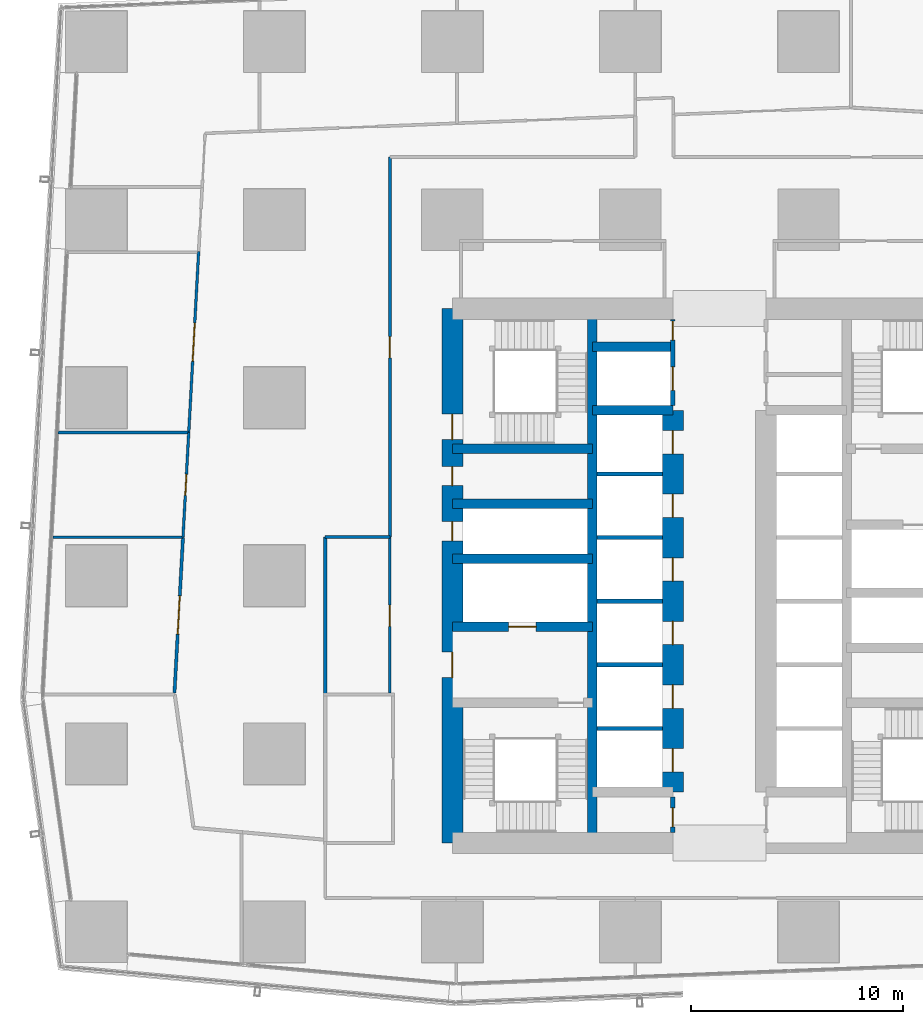
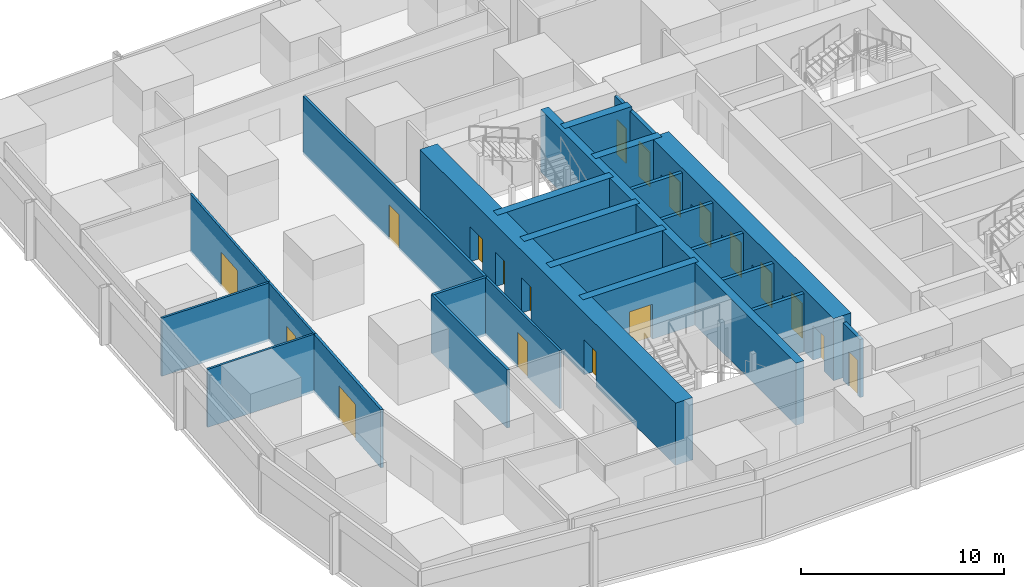
# One storey, part 29 of 40: 25 walls, 19 doors, 19 openings.
"""IFC4 building model written with IfcOpenShell, lengths in metres."""

from ifc_helpers import new_model, si_unit, direction, frame, frame_2d, origin, place, context, subcontext, project, spatial, rectangle, extrude, material, layer, layer_set, type_object, element, fill, save


model = new_model("IFC4")

# Units and contexts
model_context = context("Model", 3, precision=1e-05, world=origin(), true_north=direction((0.0, 1.0)))
body_context = subcontext(model_context, "Body", "Model", "MODEL_VIEW")
ifc_project = project(units=[si_unit("LENGTHUNIT", "METRE"), si_unit("AREAUNIT", "SQUARE_METRE"), si_unit("VOLUMEUNIT", "CUBIC_METRE"), si_unit("PLANEANGLEUNIT", "RADIAN"), si_unit("MASSUNIT", "GRAM", prefix="KILO")], contexts=[model_context])

# Site, building, storey
site_placement = place(None, origin())
site = spatial("IfcSite", under=ifc_project, at=site_placement, CompositionType="ELEMENT")
building_placement = place(site_placement, origin())
building = spatial("IfcBuilding", under=site, at=building_placement, Name="Rekha Terrace Tower", CompositionType="ELEMENT")
storey_placement = place(building_placement, frame((0.0, 0.0, 95.300048828125)))
storey = spatial("IfcBuildingStorey", under=building, at=storey_placement, Name="L23", CompositionType="ELEMENT", Elevation=95.300048828125)

# Walls
ifc_material_1 = material(Name="Concrete M70", Category="concrete")
ifc_layer_1 = layer(ifc_material_1, 0.449951171875)
ifc_layer_set_1 = layer_set([ifc_layer_1], Name="Concrete M70")
wall_type_1 = type_object("IfcWallType", Name="CI2 450 core internal shear wall", PredefinedType="SHEAR", material=ifc_layer_set_1)
wall_1_placement = place(storey_placement, frame((31.800048828125, 21.0, 0.0), z_axis=(0.0, 0.0, 1.0), x_axis=(0.0, 1.0, 0.0)))
element("IfcWall", 1, at=wall_1_placement, inside=storey, type_object=wall_type_1, Name="Core wall X318 L23", PredefinedType="SHEAR", context=body_context, shape_type="SweptSolid", body=[
    extrude(rectangle(XDim=25.199951171875, YDim=0.449951171875, at=frame_2d((12.60009765625, 0.0))), origin(), (0.0, 0.0, 1.0), 3.75),
])
for number, where, z_axis, x_axis, name in (
    (2, (31.800048828125, 41.39990234375, 0.0), (0.0, 0.0, 1.0), (1.0, 0.0, 0.0), "Core wall Y414W L23"),
    (3, (31.800048828125, 44.39990234375, 0.0), (0.0, 0.0, 1.0), (1.0, 0.0, 0.0), "Core wall Y444W L23"),
):
    element("IfcWall", number, at=place(storey_placement, frame(where, z_axis=z_axis, x_axis=x_axis)), inside=storey, type_object=wall_type_1, Name=name, PredefinedType="SHEAR", context=body_context, shape_type="SweptSolid", body=[
        extrude(rectangle(XDim=3.800048828125, YDim=0.449951171875, at=frame_2d((1.89990234375, 0.0))), origin(), (0.0, 0.0, 1.0), 3.75),
    ])

# Wall, opening, door
wall_2_placement = place(storey_placement, frame((25.199951171875, 31.199951171875, 0.0), z_axis=(0.0, 0.0, 1.0), x_axis=(1.0, 0.0, 0.0)))
wall_2 = element("IfcWall", 4, at=wall_2_placement, inside=storey, type_object=wall_type_1, Name="Core wall Y312W L23", PredefinedType="SHEAR", context=body_context, shape_type="SweptSolid", body=[
    extrude(rectangle(XDim=6.60009765625, YDim=0.449951171875, at=frame_2d((3.300048828125, 0.0))), origin(), (0.0, 0.0, 1.0), 3.75),
])
opening_1_placement = place(wall_2_placement, frame((2.64990234375, 0.0, 0.0)))
opening_1 = element("IfcOpeningElement", 5, at=opening_1_placement, cuts=wall_2, Name="Opening LD2", PredefinedType="OPENING", context=body_context, shape_type="SweptSolid", body=[
    extrude(rectangle(XDim=1.300048828125, YDim=2.10009765625, at=frame_2d((0.64990234375, 1.050048828125))), frame((0.0, 0.23486328125, 0.0), z_axis=(0.0, -1.0, 0.0), x_axis=(1.0, 0.0, 0.0)), (0.0, 0.0, 1.0), 0.469970703125),
])
ifc_material_2 = material(Name="Stainless steel sliding landing door", Category="steel")
door_type_1 = type_object("IfcDoorType", Name="LD2 1300x2100 fire lift landing door", OperationType="SLIDING_TO_LEFT", PredefinedType="USERDEFINED", material=ifc_material_2)
door_1_placement = place(opening_1_placement, origin())
door_1 = element("IfcDoor", 6, at=door_1_placement, inside=storey, type_object=door_type_1, Name="Lift FL1 landing door L23", ObjectType="LIFT LANDING DOOR", OperationType="SLIDING_TO_LEFT", OverallHeight=2.10009765625, OverallWidth=1.300048828125, PredefinedType="USERDEFINED", context=body_context, shape_type="SweptSolid", body=[
    extrude(rectangle(XDim=1.300048828125, YDim=2.10009765625, at=frame_2d((0.64990234375, 1.050048828125))), frame((0.0, 0.02490234375, 0.0), z_axis=(0.0, -1.0, 0.0), x_axis=(1.0, 0.0, 0.0)), (0.0, 0.0, 1.0), 0.050048828125),
])
fill(opening_1, door_1)

# Walls
for number, where, z_axis, x_axis, name in (
    (7, (25.199951171875, 34.39990234375, 0.0), (0.0, 0.0, 1.0), (1.0, 0.0, 0.0), "Core wall Y344W L23"),
    (8, (25.199951171875, 37.0, 0.0), (0.0, 0.0, 1.0), (1.0, 0.0, 0.0), "Core wall Y370W L23"),
    (9, (25.199951171875, 39.60009765625, 0.0), (0.0, 0.0, 1.0), (1.0, 0.0, 0.0), "Core wall Y396W L23"),
):
    element("IfcWall", number, at=place(storey_placement, frame(where, z_axis=z_axis, x_axis=x_axis)), inside=storey, type_object=wall_type_1, Name=name, PredefinedType="SHEAR", context=body_context, shape_type="SweptSolid", body=[
        extrude(rectangle(XDim=6.60009765625, YDim=0.449951171875, at=frame_2d((3.300048828125, 0.0))), origin(), (0.0, 0.0, 1.0), 3.75),
    ])

# Wall, openings, doors
ifc_layer_2 = layer(ifc_material_1, 1.0)
ifc_layer_set_2 = layer_set([ifc_layer_2], Name="Concrete M70")
wall_type_2 = type_object("IfcWallType", Name="LW2 1000 core lobby wall at an outrigger level", PredefinedType="SHEAR", material=ifc_layer_set_2)
wall_3_placement = place(storey_placement, frame((35.60009765625, 23.39990234375, 0.0), z_axis=(0.0, 0.0, 1.0), x_axis=(0.0, 1.0, 0.0)))
wall_3 = element("IfcWall", 10, at=wall_3_placement, inside=storey, type_object=wall_type_2, Name="Core wall X356 L23", PredefinedType="SHEAR", context=body_context, shape_type="SweptSolid", body=[
    extrude(rectangle(XDim=18.0, YDim=1.0, at=frame_2d((9.0, 0.0))), origin(), (0.0, 0.0, 1.0), 3.75),
])
opening_2_placement = place(wall_3_placement, frame((0.949951171875, 0.0, 0.0)))
opening_2 = element("IfcOpeningElement", 11, at=opening_2_placement, cuts=wall_3, Name="Opening LD1", PredefinedType="OPENING", context=body_context, shape_type="SweptSolid", body=[
    extrude(rectangle(XDim=1.10009765625, YDim=2.10009765625, at=frame_2d((0.550048828125, 1.050048828125))), frame((0.0, 0.510009765625, 0.0), z_axis=(0.0, -1.0, 0.0), x_axis=(1.0, 0.0, 0.0)), (0.0, 0.0, 1.0), 1.02001953125),
])
opening_3_placement = place(wall_3_placement, frame((3.949951171875, 0.0, 0.0)))
opening_3 = element("IfcOpeningElement", 12, at=opening_3_placement, cuts=wall_3, Name="Opening LD1", PredefinedType="OPENING", context=body_context, shape_type="SweptSolid", body=[
    extrude(rectangle(XDim=1.10009765625, YDim=2.10009765625, at=frame_2d((0.550048828125, 1.050048828125))), frame((0.0, 0.510009765625, 0.0), z_axis=(0.0, -1.0, 0.0), x_axis=(1.0, 0.0, 0.0)), (0.0, 0.0, 1.0), 1.02001953125),
])
opening_4_placement = place(wall_3_placement, frame((6.949951171875, 0.0, 0.0)))
opening_4 = element("IfcOpeningElement", 13, at=opening_4_placement, cuts=wall_3, Name="Opening LD1", PredefinedType="OPENING", context=body_context, shape_type="SweptSolid", body=[
    extrude(rectangle(XDim=1.10009765625, YDim=2.10009765625, at=frame_2d((0.550048828125, 1.050048828125))), frame((0.0, 0.510009765625, 0.0), z_axis=(0.0, -1.0, 0.0), x_axis=(1.0, 0.0, 0.0)), (0.0, 0.0, 1.0), 1.02001953125),
])
opening_5_placement = place(wall_3_placement, frame((9.949951171875, 0.0, 0.0)))
opening_5 = element("IfcOpeningElement", 14, at=opening_5_placement, cuts=wall_3, Name="Opening LD1", PredefinedType="OPENING", context=body_context, shape_type="SweptSolid", body=[
    extrude(rectangle(XDim=1.10009765625, YDim=2.10009765625, at=frame_2d((0.550048828125, 1.050048828125))), frame((0.0, 0.510009765625, 0.0), z_axis=(0.0, -1.0, 0.0), x_axis=(1.0, 0.0, 0.0)), (0.0, 0.0, 1.0), 1.02001953125),
])
opening_6_placement = place(wall_3_placement, frame((12.949951171875, 0.0, 0.0)))
opening_6 = element("IfcOpeningElement", 15, at=opening_6_placement, cuts=wall_3, Name="Opening LD1", PredefinedType="OPENING", context=body_context, shape_type="SweptSolid", body=[
    extrude(rectangle(XDim=1.10009765625, YDim=2.10009765625, at=frame_2d((0.550048828125, 1.050048828125))), frame((0.0, 0.510009765625, 0.0), z_axis=(0.0, -1.0, 0.0), x_axis=(1.0, 0.0, 0.0)), (0.0, 0.0, 1.0), 1.02001953125),
])
opening_7_placement = place(wall_3_placement, frame((15.949951171875, 0.0, 0.0)))
opening_7 = element("IfcOpeningElement", 16, at=opening_7_placement, cuts=wall_3, Name="Opening LD1", PredefinedType="OPENING", context=body_context, shape_type="SweptSolid", body=[
    extrude(rectangle(XDim=1.10009765625, YDim=2.10009765625, at=frame_2d((0.550048828125, 1.050048828125))), frame((0.0, 0.510009765625, 0.0), z_axis=(0.0, -1.0, 0.0), x_axis=(1.0, 0.0, 0.0)), (0.0, 0.0, 1.0), 1.02001953125),
])
door_type_2 = type_object("IfcDoorType", Name="LD1 1100x2100 lift landing door", OperationType="SLIDING_TO_LEFT", PredefinedType="USERDEFINED", material=ifc_material_2)
door_2_placement = place(opening_2_placement, origin())
door_2 = element("IfcDoor", 17, at=door_2_placement, inside=storey, type_object=door_type_2, Name="Lift B1 landing door L23", ObjectType="LIFT LANDING DOOR", OperationType="SLIDING_TO_LEFT", OverallHeight=2.10009765625, OverallWidth=1.10009765625, PredefinedType="USERDEFINED", context=body_context, shape_type="SweptSolid", body=[
    extrude(rectangle(XDim=1.10009765625, YDim=2.10009765625, at=frame_2d((0.550048828125, 1.050048828125))), frame((0.0, 0.02490234375, 0.0), z_axis=(0.0, -1.0, 0.0), x_axis=(1.0, 0.0, 0.0)), (0.0, 0.0, 1.0), 0.050048828125),
])
fill(opening_2, door_2)
door_3_placement = place(opening_3_placement, origin())
door_3 = element("IfcDoor", 18, at=door_3_placement, inside=storey, type_object=door_type_2, Name="Lift B2 landing door L23", ObjectType="LIFT LANDING DOOR", OperationType="SLIDING_TO_LEFT", OverallHeight=2.10009765625, OverallWidth=1.10009765625, PredefinedType="USERDEFINED", context=body_context, shape_type="SweptSolid", body=[
    extrude(rectangle(XDim=1.10009765625, YDim=2.10009765625, at=frame_2d((0.550048828125, 1.050048828125))), frame((0.0, 0.02490234375, 0.0), z_axis=(0.0, -1.0, 0.0), x_axis=(1.0, 0.0, 0.0)), (0.0, 0.0, 1.0), 0.050048828125),
])
fill(opening_3, door_3)
door_4_placement = place(opening_4_placement, origin())
door_4 = element("IfcDoor", 19, at=door_4_placement, inside=storey, type_object=door_type_2, Name="Lift B3 landing door L23", ObjectType="LIFT LANDING DOOR", OperationType="SLIDING_TO_LEFT", OverallHeight=2.10009765625, OverallWidth=1.10009765625, PredefinedType="USERDEFINED", context=body_context, shape_type="SweptSolid", body=[
    extrude(rectangle(XDim=1.10009765625, YDim=2.10009765625, at=frame_2d((0.550048828125, 1.050048828125))), frame((0.0, 0.02490234375, 0.0), z_axis=(0.0, -1.0, 0.0), x_axis=(1.0, 0.0, 0.0)), (0.0, 0.0, 1.0), 0.050048828125),
])
fill(opening_4, door_4)
door_5_placement = place(opening_5_placement, origin())
door_5 = element("IfcDoor", 20, at=door_5_placement, inside=storey, type_object=door_type_2, Name="Lift B4 landing door L23", ObjectType="LIFT LANDING DOOR", OperationType="SLIDING_TO_LEFT", OverallHeight=2.10009765625, OverallWidth=1.10009765625, PredefinedType="USERDEFINED", context=body_context, shape_type="SweptSolid", body=[
    extrude(rectangle(XDim=1.10009765625, YDim=2.10009765625, at=frame_2d((0.550048828125, 1.050048828125))), frame((0.0, 0.02490234375, 0.0), z_axis=(0.0, -1.0, 0.0), x_axis=(1.0, 0.0, 0.0)), (0.0, 0.0, 1.0), 0.050048828125),
])
fill(opening_5, door_5)
door_6_placement = place(opening_6_placement, origin())
door_6 = element("IfcDoor", 21, at=door_6_placement, inside=storey, type_object=door_type_2, Name="Lift B5 landing door L23", ObjectType="LIFT LANDING DOOR", OperationType="SLIDING_TO_LEFT", OverallHeight=2.10009765625, OverallWidth=1.10009765625, PredefinedType="USERDEFINED", context=body_context, shape_type="SweptSolid", body=[
    extrude(rectangle(XDim=1.10009765625, YDim=2.10009765625, at=frame_2d((0.550048828125, 1.050048828125))), frame((0.0, 0.02490234375, 0.0), z_axis=(0.0, -1.0, 0.0), x_axis=(1.0, 0.0, 0.0)), (0.0, 0.0, 1.0), 0.050048828125),
])
fill(opening_6, door_6)
door_7_placement = place(opening_7_placement, origin())
door_7 = element("IfcDoor", 22, at=door_7_placement, inside=storey, type_object=door_type_2, Name="Lift B6 landing door L23", ObjectType="LIFT LANDING DOOR", OperationType="SLIDING_TO_LEFT", OverallHeight=2.10009765625, OverallWidth=1.10009765625, PredefinedType="USERDEFINED", context=body_context, shape_type="SweptSolid", body=[
    extrude(rectangle(XDim=1.10009765625, YDim=2.10009765625, at=frame_2d((0.550048828125, 1.050048828125))), frame((0.0, 0.02490234375, 0.0), z_axis=(0.0, -1.0, 0.0), x_axis=(1.0, 0.0, 0.0)), (0.0, 0.0, 1.0), 0.050048828125),
])
fill(opening_7, door_7)

ifc_layer_3 = layer(ifc_material_1, 1.0)
ifc_layer_set_3 = layer_set([ifc_layer_3], Name="Concrete M70")
wall_type_3 = type_object("IfcWallType", Name="SW2 1000 core outer shear wall", PredefinedType="SHEAR", material=ifc_layer_set_3)
wall_4_placement = place(storey_placement, frame((25.199951171875, 21.0, 0.0), z_axis=(0.0, 0.0, 1.0), x_axis=(0.0, 1.0, 0.0)))
wall_4 = element("IfcWall", 23, at=wall_4_placement, inside=storey, type_object=wall_type_3, Name="Core wall W L23", PredefinedType="SHEAR", context=body_context, shape_type="SweptSolid", body=[
    extrude(rectangle(XDim=25.199951171875, YDim=1.0, at=frame_2d((12.60009765625, 0.0))), origin(), (0.0, 0.0, 1.0), 3.75),
])
opening_8_placement = place(wall_4_placement, frame((7.800048828125, 0.0, 0.0)))
opening_8 = element("IfcOpeningElement", 24, at=opening_8_placement, cuts=wall_4, Name="Opening D2", PredefinedType="OPENING", context=body_context, shape_type="SweptSolid", body=[
    extrude(rectangle(XDim=1.199951171875, YDim=2.10009765625, at=frame_2d((0.60009765625, 1.050048828125))), frame((0.0, 0.510009765625, 0.0), z_axis=(0.0, -1.0, 0.0), x_axis=(1.0, 0.0, 0.0)), (0.0, 0.0, 1.0), 1.02001953125),
])
opening_9_placement = place(wall_4_placement, frame((14.25, 0.0, 0.0)))
opening_9 = element("IfcOpeningElement", 25, at=opening_9_placement, cuts=wall_4, Name="Opening D5", PredefinedType="OPENING", context=body_context, shape_type="SweptSolid", body=[
    extrude(rectangle(XDim=0.89990234375, YDim=2.10009765625, at=frame_2d((0.449951171875, 1.050048828125))), frame((0.0, 0.510009765625, 0.0), z_axis=(0.0, -1.0, 0.0), x_axis=(1.0, 0.0, 0.0)), (0.0, 0.0, 1.0), 1.02001953125),
])
opening_10_placement = place(wall_4_placement, frame((16.85009765625, 0.0, 0.0)))
opening_10 = element("IfcOpeningElement", 26, at=opening_10_placement, cuts=wall_4, Name="Opening D5", PredefinedType="OPENING", context=body_context, shape_type="SweptSolid", body=[
    extrude(rectangle(XDim=0.89990234375, YDim=2.10009765625, at=frame_2d((0.449951171875, 1.050048828125))), frame((0.0, 0.510009765625, 0.0), z_axis=(0.0, -1.0, 0.0), x_axis=(1.0, 0.0, 0.0)), (0.0, 0.0, 1.0), 1.02001953125),
])
opening_11_placement = place(wall_4_placement, frame((19.02490234375, 0.0, 0.0)))
opening_11 = element("IfcOpeningElement", 27, at=opening_11_placement, cuts=wall_4, Name="Opening D1", PredefinedType="OPENING", context=body_context, shape_type="SweptSolid", body=[
    extrude(rectangle(XDim=1.199951171875, YDim=2.10009765625, at=frame_2d((0.60009765625, 1.050048828125))), frame((0.0, 0.510009765625, 0.0), z_axis=(0.0, -1.0, 0.0), x_axis=(1.0, 0.0, 0.0)), (0.0, 0.0, 1.0), 1.02001953125),
])
ifc_material_3 = material(Name="Steel fire door", Category="steel")
door_type_3 = type_object("IfcDoorType", Name="D1 1200x2100 stair fire door", OperationType="SINGLE_SWING_RIGHT", PredefinedType="DOOR", material=ifc_material_3)
door_8_placement = place(opening_11_placement, origin())
door_8 = element("IfcDoor", 28, at=door_8_placement, inside=storey, type_object=door_type_3, Name="Stair ST4 door L23", OperationType="SINGLE_SWING_RIGHT", OverallHeight=2.10009765625, OverallWidth=1.199951171875, PredefinedType="DOOR", context=body_context, shape_type="SweptSolid", body=[
    extrude(rectangle(XDim=1.199951171875, YDim=2.10009765625, at=frame_2d((0.60009765625, 1.050048828125))), frame((0.0, 0.02490234375, 0.0), z_axis=(0.0, -1.0, 0.0), x_axis=(1.0, 0.0, 0.0)), (0.0, 0.0, 1.0), 0.050048828125),
])
fill(opening_11, door_8)
door_type_4 = type_object("IfcDoorType", Name="D2 1200x2100 firefighting lobby door", OperationType="SINGLE_SWING_LEFT", PredefinedType="DOOR", material=ifc_material_3)
door_9_placement = place(opening_8_placement, origin())
door_9 = element("IfcDoor", 29, at=door_9_placement, inside=storey, type_object=door_type_4, Name="Door flb1 L23", OperationType="SINGLE_SWING_LEFT", OverallHeight=2.10009765625, OverallWidth=1.199951171875, PredefinedType="DOOR", context=body_context, shape_type="SweptSolid", body=[
    extrude(rectangle(XDim=1.199951171875, YDim=2.10009765625, at=frame_2d((0.60009765625, 1.050048828125))), frame((0.0, 0.02490234375, 0.0), z_axis=(0.0, -1.0, 0.0), x_axis=(1.0, 0.0, 0.0)), (0.0, 0.0, 1.0), 0.050048828125),
])
fill(opening_8, door_9)
door_type_5 = type_object("IfcDoorType", Name="D5 900x2100 riser access door", OperationType="SINGLE_SWING_LEFT", PredefinedType="DOOR", material=ifc_material_3)
door_10_placement = place(opening_9_placement, origin())
door_10 = element("IfcDoor", 30, at=door_10_placement, inside=storey, type_object=door_type_5, Name="Door rs1 L23", OperationType="SINGLE_SWING_LEFT", OverallHeight=2.10009765625, OverallWidth=0.89990234375, PredefinedType="DOOR", context=body_context, shape_type="SweptSolid", body=[
    extrude(rectangle(XDim=0.89990234375, YDim=2.10009765625, at=frame_2d((0.449951171875, 1.050048828125))), frame((0.0, 0.02490234375, 0.0), z_axis=(0.0, -1.0, 0.0), x_axis=(1.0, 0.0, 0.0)), (0.0, 0.0, 1.0), 0.050048828125),
])
fill(opening_9, door_10)
door_11_placement = place(opening_10_placement, origin())
door_11 = element("IfcDoor", 31, at=door_11_placement, inside=storey, type_object=door_type_5, Name="Door elw L23", OperationType="SINGLE_SWING_LEFT", OverallHeight=2.10009765625, OverallWidth=0.89990234375, PredefinedType="DOOR", context=body_context, shape_type="SweptSolid", body=[
    extrude(rectangle(XDim=0.89990234375, YDim=2.10009765625, at=frame_2d((0.449951171875, 1.050048828125))), frame((0.0, 0.02490234375, 0.0), z_axis=(0.0, -1.0, 0.0), x_axis=(1.0, 0.0, 0.0)), (0.0, 0.0, 1.0), 0.050048828125),
])
fill(opening_10, door_11)

# Wall, opening, door
ifc_material_4 = material(Name="Concrete block masonry, 1 hour", Category="masonry")
ifc_layer_4 = layer(ifc_material_4, 0.14990234375)
ifc_layer_set_4 = layer_set([ifc_layer_4], Name="Concrete block masonry, 1 hour")
wall_type_4 = type_object("IfcWallType", Name="WP2 150 tenancy partition", PredefinedType="PARTITIONING", material=ifc_layer_set_4)
wall_5_placement = place(storey_placement, frame((22.25, 53.35009765625, 0.0), z_axis=(0.0, 0.0, 1.0), x_axis=(0.0, -1.0, 0.0)))
wall_5 = element("IfcWall", 32, at=wall_5_placement, inside=storey, type_object=wall_type_4, Name="Partition L23-O1b", PredefinedType="PARTITIONING", context=body_context, shape_type="SweptSolid", body=[
    extrude(rectangle(XDim=17.927978515625, YDim=0.14990234375, at=frame_2d((8.9638671875, 0.0))), origin(), (0.0, 0.0, 1.0), 3.5),
])
opening_12_placement = place(wall_5_placement, frame((8.464111328125, 0.0, 0.0)))
opening_12 = element("IfcOpeningElement", 33, at=opening_12_placement, cuts=wall_5, Name="Opening D9", PredefinedType="OPENING", context=body_context, shape_type="SweptSolid", body=[
    extrude(rectangle(XDim=1.0, YDim=2.10009765625, at=frame_2d((0.5, 1.050048828125))), frame((0.0, 0.0849609375, 0.0), z_axis=(0.0, -1.0, 0.0), x_axis=(1.0, 0.0, 0.0)), (0.0, 0.0, 1.0), 0.169921875),
])
ifc_material_5 = material(Name="Timber fire door", Category="wood")
door_type_6 = type_object("IfcDoorType", Name="D9 1000x2100 office door", OperationType="SINGLE_SWING_LEFT", PredefinedType="DOOR", material=ifc_material_5)
door_12_placement = place(opening_12_placement, origin())
door_12 = element("IfcDoor", 34, at=door_12_placement, inside=storey, type_object=door_type_6, Name="Door open-plan office L23", OperationType="SINGLE_SWING_LEFT", OverallHeight=2.10009765625, OverallWidth=1.0, PredefinedType="DOOR", context=body_context, shape_type="SweptSolid", body=[
    extrude(rectangle(XDim=1.0, YDim=2.10009765625, at=frame_2d((0.5, 1.050048828125))), frame((0.0, 0.02490234375, 0.0), z_axis=(0.0, -1.0, 0.0), x_axis=(1.0, 0.0, 0.0)), (0.0, 0.0, 1.0), 0.050048828125),
])
fill(opening_12, door_12)

# Walls
wall_6_placement = place(storey_placement, frame((22.25, 35.422119140625, 0.0), z_axis=(0.0, 0.0, 1.0), x_axis=(-1.0, 0.0, 0.0)))
element("IfcWall", 35, at=wall_6_placement, inside=storey, type_object=wall_type_4, Name="Partition L23-O1b", PredefinedType="PARTITIONING", context=body_context, shape_type="SweptSolid", body=[
    extrude(rectangle(XDim=3.050048828125, YDim=0.14990234375, at=frame_2d((1.52490234375, 0.0))), origin(), (0.0, 0.0, 1.0), 3.5),
])
wall_7_placement = place(storey_placement, frame((19.199951171875, 35.422119140625, 0.0), z_axis=(0.0, 0.0, 1.0), x_axis=(0.0, -1.0, 0.0)))
element("IfcWall", 36, at=wall_7_placement, inside=storey, type_object=wall_type_4, Name="Partition L23-O1b", PredefinedType="PARTITIONING", context=body_context, shape_type="SweptSolid", body=[
    extrude(rectangle(XDim=7.4970703125, YDim=0.14990234375, at=frame_2d((3.74853515625, 0.0))), origin(), (0.0, 0.0, 1.0), 3.5),
])

# Wall, opening, door
wall_8_placement = place(storey_placement, frame((12.087890625, 28.0791015625, 0.0), z_axis=(0.0, 0.0, 1.0), x_axis=(0.054701106578, 0.998502773626, 0.0)))
wall_8 = element("IfcWall", 37, at=wall_8_placement, inside=storey, type_object=wall_type_4, Name="Partition L23-O1b", PredefinedType="PARTITIONING", context=body_context, shape_type="SweptSolid", body=[
    extrude(rectangle(XDim=7.350830078125, YDim=0.14990234375, at=frame_2d((3.67529296875, 0.0))), origin(), (0.0, 0.0, 1.0), 3.5),
])
opening_13_placement = place(wall_8_placement, frame((2.77587890625, 0.0, 0.0)))
opening_13 = element("IfcOpeningElement", 38, at=opening_13_placement, cuts=wall_8, Name="Opening D8", PredefinedType="OPENING", context=body_context, shape_type="SweptSolid", body=[
    extrude(rectangle(XDim=1.800048828125, YDim=2.10009765625, at=frame_2d((0.89990234375, 1.050048828125))), frame((0.0, 0.0849609375, 0.0), z_axis=(0.0, -1.0, 0.0), x_axis=(1.0, 0.0, 0.0)), (0.0, 0.0, 1.0), 0.169921875),
])
door_type_7 = type_object("IfcDoorType", Name="D8 1800x2100 double leaf door", OperationType="DOUBLE_DOOR_SINGLE_SWING", PredefinedType="DOOR", material=ifc_material_5)
door_13_placement = place(opening_13_placement, origin())
door_13 = element("IfcDoor", 39, at=door_13_placement, inside=storey, type_object=door_type_7, Name="Door breakout lounge L23", OperationType="DOUBLE_DOOR_SINGLE_SWING", OverallHeight=2.10009765625, OverallWidth=1.800048828125, PredefinedType="DOOR", context=body_context, shape_type="SweptSolid", body=[
    extrude(rectangle(XDim=1.800048828125, YDim=2.10009765625, at=frame_2d((0.89990234375, 1.050048828125))), frame((0.0, 0.02490234375, 0.0), z_axis=(0.0, -1.0, 0.0), x_axis=(1.0, 0.0, 0.0)), (0.0, 0.0, 1.0), 0.050048828125),
])
fill(opening_13, door_13)

ifc_material_6 = material(Name="Two layers of fire-rated gypsum board each side on steel studs, acoustic quilt, 1 hour", Category="steel")
ifc_layer_5 = layer(ifc_material_6, 0.125)
ifc_layer_set_5 = layer_set([ifc_layer_5], Name="Two layers of fire-rated gypsum board each side on steel studs, acoustic quilt, 1 hour")
wall_type_5 = type_object("IfcWallType", Name="WP3 125 office partition", PredefinedType="PARTITIONING", material=ifc_layer_set_5)
wall_9_placement = place(storey_placement, frame((13.22900390625, 48.89306640625, 0.0), z_axis=(0.0, 0.0, 1.0), x_axis=(-0.054751844568, -0.998499992747, 0.0)))
wall_9 = element("IfcWall", 40, at=wall_9_placement, inside=storey, type_object=wall_type_5, Name="Partition L23-11", PredefinedType="PARTITIONING", context=body_context, shape_type="SweptSolid", body=[
    extrude(rectangle(XDim=8.548095703125, YDim=0.125, at=frame_2d((4.27392578125, 0.0))), origin(), (0.0, 0.0, 1.0), 3.5),
])
opening_14_placement = place(wall_9_placement, frame((3.3740234375, 0.0, 0.0)))
opening_14 = element("IfcOpeningElement", 41, at=opening_14_placement, cuts=wall_9, Name="Opening D8", PredefinedType="OPENING", context=body_context, shape_type="SweptSolid", body=[
    extrude(rectangle(XDim=1.800048828125, YDim=2.10009765625, at=frame_2d((0.89990234375, 1.050048828125))), frame((0.0, 0.072509765625, 0.0), z_axis=(0.0, -1.0, 0.0), x_axis=(1.0, 0.0, 0.0)), (0.0, 0.0, 1.0), 0.14501953125),
])
door_14_placement = place(opening_14_placement, origin())
door_14 = element("IfcDoor", 42, at=door_14_placement, inside=storey, type_object=door_type_7, Name="Door breakout lounge L23", OperationType="DOUBLE_DOOR_SINGLE_SWING", OverallHeight=2.10009765625, OverallWidth=1.800048828125, PredefinedType="DOOR", context=body_context, shape_type="SweptSolid", body=[
    extrude(rectangle(XDim=1.800048828125, YDim=2.10009765625, at=frame_2d((0.89990234375, 1.050048828125))), frame((0.0, 0.02490234375, 0.0), z_axis=(0.0, -1.0, 0.0), x_axis=(1.0, 0.0, 0.0)), (0.0, 0.0, 1.0), 0.050048828125),
])
fill(opening_14, door_14)

# Wall
wall_10_placement = place(storey_placement, frame((12.760986328125, 40.35791015625, 0.0), z_axis=(0.0, 0.0, 1.0), x_axis=(-1.0, 0.0, 0.0)))
element("IfcWall", 43, at=wall_10_placement, inside=storey, type_object=wall_type_5, Name="Partition L23-11", PredefinedType="PARTITIONING", context=body_context, shape_type="SweptSolid", body=[
    extrude(rectangle(XDim=6.158935546875, YDim=0.125, at=frame_2d((3.07958984375, 0.0))), origin(), (0.0, 0.0, 1.0), 3.5),
])

# Wall, opening, door
wall_11_placement = place(storey_placement, frame((12.760986328125, 40.35693359375, 0.0), z_axis=(0.0, 0.0, 1.0), x_axis=(-0.054832537322, -0.998495564763, 0.0)))
wall_11 = element("IfcWall", 44, at=wall_11_placement, inside=storey, type_object=wall_type_5, Name="Partition L23-12", PredefinedType="PARTITIONING", context=body_context, shape_type="SweptSolid", body=[
    extrude(rectangle(XDim=4.942138671875, YDim=0.125, at=frame_2d((2.47119140625, 0.0))), origin(), (0.0, 0.0, 1.0), 3.5),
])
opening_15_placement = place(wall_11_placement, frame((1.970947265625, 0.0, 0.0)))
opening_15 = element("IfcOpeningElement", 45, at=opening_15_placement, cuts=wall_11, Name="Opening D9", PredefinedType="OPENING", context=body_context, shape_type="SweptSolid", body=[
    extrude(rectangle(XDim=1.0, YDim=2.10009765625, at=frame_2d((0.5, 1.050048828125))), frame((0.0, 0.072509765625, 0.0), z_axis=(0.0, -1.0, 0.0), x_axis=(1.0, 0.0, 0.0)), (0.0, 0.0, 1.0), 0.14501953125),
])
door_15_placement = place(opening_15_placement, origin())
door_15 = element("IfcDoor", 46, at=door_15_placement, inside=storey, type_object=door_type_6, Name="Door storage room L23", OperationType="SINGLE_SWING_LEFT", OverallHeight=2.10009765625, OverallWidth=1.0, PredefinedType="DOOR", context=body_context, shape_type="SweptSolid", body=[
    extrude(rectangle(XDim=1.0, YDim=2.10009765625, at=frame_2d((0.5, 1.050048828125))), frame((0.0, 0.02490234375, 0.0), z_axis=(0.0, -1.0, 0.0), x_axis=(1.0, 0.0, 0.0)), (0.0, 0.0, 1.0), 0.050048828125),
])
fill(opening_15, door_15)

# Wall
wall_12_placement = place(storey_placement, frame((12.489990234375, 35.422119140625, 0.0), z_axis=(0.0, 0.0, 1.0), x_axis=(-1.0, 0.0, 0.0)))
element("IfcWall", 47, at=wall_12_placement, inside=storey, type_object=wall_type_5, Name="Partition L23-12", PredefinedType="PARTITIONING", context=body_context, shape_type="SweptSolid", body=[
    extrude(rectangle(XDim=6.12890625, YDim=0.125, at=frame_2d((3.064453125, 0.0))), origin(), (0.0, 0.0, 1.0), 3.5),
])

# Wall, opening, door
wall_13_placement = place(storey_placement, frame((22.25, 35.4208984375, 0.0), z_axis=(0.0, 0.0, 1.0), x_axis=(0.0, -1.0, 0.0)))
wall_13 = element("IfcWall", 48, at=wall_13_placement, inside=storey, type_object=wall_type_5, Name="Partition L23-23", PredefinedType="PARTITIONING", context=body_context, shape_type="SweptSolid", body=[
    extrude(rectangle(XDim=7.345947265625, YDim=0.125, at=frame_2d((3.6728515625, 0.0))), origin(), (0.0, 0.0, 1.0), 3.5),
])
opening_16_placement = place(wall_13_placement, frame((3.2099609375, 0.0, 0.0)))
opening_16 = element("IfcOpeningElement", 49, at=opening_16_placement, cuts=wall_13, Name="Opening D9", PredefinedType="OPENING", context=body_context, shape_type="SweptSolid", body=[
    extrude(rectangle(XDim=1.0, YDim=2.10009765625, at=frame_2d((0.5, 1.050048828125))), frame((0.0, 0.072509765625, 0.0), z_axis=(0.0, -1.0, 0.0), x_axis=(1.0, 0.0, 0.0)), (0.0, 0.0, 1.0), 0.14501953125),
])
door_16_placement = place(opening_16_placement, origin())
door_16 = element("IfcDoor", 50, at=door_16_placement, inside=storey, type_object=door_type_6, Name="Door reception L23", OperationType="SINGLE_SWING_LEFT", OverallHeight=2.10009765625, OverallWidth=1.0, PredefinedType="DOOR", context=body_context, shape_type="SweptSolid", body=[
    extrude(rectangle(XDim=1.0, YDim=2.10009765625, at=frame_2d((0.5, 1.050048828125))), frame((0.0, 0.02490234375, 0.0), z_axis=(0.0, -1.0, 0.0), x_axis=(1.0, 0.0, 0.0)), (0.0, 0.0, 1.0), 0.050048828125),
])
fill(opening_16, door_16)

# Walls
ifc_material_7 = material(Name="Solid concrete block masonry, 2 hour", Category="masonry")
ifc_layer_6 = layer(ifc_material_7, 0.199951171875)
ifc_layer_set_6 = layer_set([ifc_layer_6], Name="Solid concrete block masonry, 2 hour")
wall_type_6 = type_object("IfcWallType", Name="WS1 200 stair and shaft enclosure", PredefinedType="PARTITIONING", material=ifc_layer_set_6)
for number, where, z_axis, x_axis, name in (
    (51, (32.02490234375, 26.39990234375, 0.0), (0.0, 0.0, 1.0), (1.0, 0.0, 0.0), "Lift shaft divider L23"),
    (52, (32.02490234375, 29.39990234375, 0.0), (0.0, 0.0, 1.0), (1.0, 0.0, 0.0), "Lift shaft divider L23"),
    (53, (32.02490234375, 32.39990234375, 0.0), (0.0, 0.0, 1.0), (1.0, 0.0, 0.0), "Lift shaft divider L23"),
    (54, (32.02490234375, 35.39990234375, 0.0), (0.0, 0.0, 1.0), (1.0, 0.0, 0.0), "Lift shaft divider L23"),
    (55, (32.02490234375, 38.39990234375, 0.0), (0.0, 0.0, 1.0), (1.0, 0.0, 0.0), "Lift shaft divider L23"),
):
    element("IfcWall", number, at=place(storey_placement, frame(where, z_axis=z_axis, x_axis=x_axis)), inside=storey, type_object=wall_type_6, Name=name, PredefinedType="PARTITIONING", context=body_context, shape_type="SweptSolid", body=[
        extrude(rectangle(XDim=3.0751953125, YDim=0.199951171875, at=frame_2d((1.53759765625, 0.0))), origin(), (0.0, 0.0, 1.0), 3.5),
    ])

# Wall, openings, doors
wall_14_placement = place(storey_placement, frame((35.60009765625, 41.625, 0.0), z_axis=(0.0, 0.0, 1.0), x_axis=(0.0, 1.0, 0.0)))
wall_14 = element("IfcWall", 56, at=wall_14_placement, inside=storey, type_object=wall_type_6, Name="Core partition jansv L23", PredefinedType="PARTITIONING", context=body_context, shape_type="SweptSolid", body=[
    extrude(rectangle(XDim=4.074951171875, YDim=0.199951171875, at=frame_2d((2.03759765625, 0.0))), origin(), (0.0, 0.0, 1.0), 3.5),
])
opening_17_placement = place(wall_14_placement, frame((3.087890625, 0.0, 0.0)))
opening_17 = element("IfcOpeningElement", 57, at=opening_17_placement, cuts=wall_14, Name="Opening D5", PredefinedType="OPENING", context=body_context, shape_type="SweptSolid", body=[
    extrude(rectangle(XDim=0.89990234375, YDim=2.10009765625, at=frame_2d((0.449951171875, 1.050048828125))), frame((0.0, 0.10986328125, 0.0), z_axis=(0.0, -1.0, 0.0), x_axis=(1.0, 0.0, 0.0)), (0.0, 0.0, 1.0), 0.219970703125),
])
opening_18_placement = place(wall_14_placement, frame((0.72509765625, 0.0, 0.0)))
opening_18 = element("IfcOpeningElement", 58, at=opening_18_placement, cuts=wall_14, Name="Opening LD1", PredefinedType="OPENING", context=body_context, shape_type="SweptSolid", body=[
    extrude(rectangle(XDim=1.10009765625, YDim=2.10009765625, at=frame_2d((0.550048828125, 1.050048828125))), frame((0.0, 0.10986328125, 0.0), z_axis=(0.0, -1.0, 0.0), x_axis=(1.0, 0.0, 0.0)), (0.0, 0.0, 1.0), 0.219970703125),
])
door_17_placement = place(opening_17_placement, origin())
door_17 = element("IfcDoor", 59, at=door_17_placement, inside=storey, type_object=door_type_5, Name="Door janitor room L23", OperationType="SINGLE_SWING_LEFT", OverallHeight=2.10009765625, OverallWidth=0.89990234375, PredefinedType="DOOR", context=body_context, shape_type="SweptSolid", body=[
    extrude(rectangle(XDim=0.89990234375, YDim=2.10009765625, at=frame_2d((0.449951171875, 1.050048828125))), frame((0.0, 0.02490234375, 0.0), z_axis=(0.0, -1.0, 0.0), x_axis=(1.0, 0.0, 0.0)), (0.0, 0.0, 1.0), 0.050048828125),
])
fill(opening_17, door_17)
door_18_placement = place(opening_18_placement, origin())
door_18 = element("IfcDoor", 60, at=door_18_placement, inside=storey, type_object=door_type_2, Name="Lift SV1 landing door L23", ObjectType="LIFT LANDING DOOR", OperationType="SLIDING_TO_LEFT", OverallHeight=2.10009765625, OverallWidth=1.10009765625, PredefinedType="USERDEFINED", context=body_context, shape_type="SweptSolid", body=[
    extrude(rectangle(XDim=1.10009765625, YDim=2.10009765625, at=frame_2d((0.550048828125, 1.050048828125))), frame((0.0, 0.02490234375, 0.0), z_axis=(0.0, -1.0, 0.0), x_axis=(1.0, 0.0, 0.0)), (0.0, 0.0, 1.0), 0.050048828125),
])
fill(opening_18, door_18)

# Wall, opening, door
wall_15_placement = place(storey_placement, frame((35.60009765625, 21.5, 0.0), z_axis=(0.0, 0.0, 1.0), x_axis=(0.0, 1.0, 0.0)))
wall_15 = element("IfcWall", 61, at=wall_15_placement, inside=storey, type_object=wall_type_6, Name="Core partition west L23", PredefinedType="PARTITIONING", context=body_context, shape_type="SweptSolid", body=[
    extrude(rectangle(XDim=1.675048828125, YDim=0.199951171875, at=frame_2d((0.83740234375, 0.0))), origin(), (0.0, 0.0, 1.0), 3.5),
])
opening_19_placement = place(wall_15_placement, frame((0.25, 0.0, 0.0)))
opening_19 = element("IfcOpeningElement", 62, at=opening_19_placement, cuts=wall_15, Name="Opening D5", PredefinedType="OPENING", context=body_context, shape_type="SweptSolid", body=[
    extrude(rectangle(XDim=0.89990234375, YDim=2.10009765625, at=frame_2d((0.449951171875, 1.050048828125))), frame((0.0, 0.10986328125, 0.0), z_axis=(0.0, -1.0, 0.0), x_axis=(1.0, 0.0, 0.0)), (0.0, 0.0, 1.0), 0.219970703125),
])
door_19_placement = place(opening_19_placement, origin())
door_19 = element("IfcDoor", 63, at=door_19_placement, inside=storey, type_object=door_type_5, Name="Door tenant store L23", OperationType="SINGLE_SWING_LEFT", OverallHeight=2.10009765625, OverallWidth=0.89990234375, PredefinedType="DOOR", context=body_context, shape_type="SweptSolid", body=[
    extrude(rectangle(XDim=0.89990234375, YDim=2.10009765625, at=frame_2d((0.449951171875, 1.050048828125))), frame((0.0, 0.02490234375, 0.0), z_axis=(0.0, -1.0, 0.0), x_axis=(1.0, 0.0, 0.0)), (0.0, 0.0, 1.0), 0.050048828125),
])
fill(opening_19, door_19)

save(model, "model.ifc")
